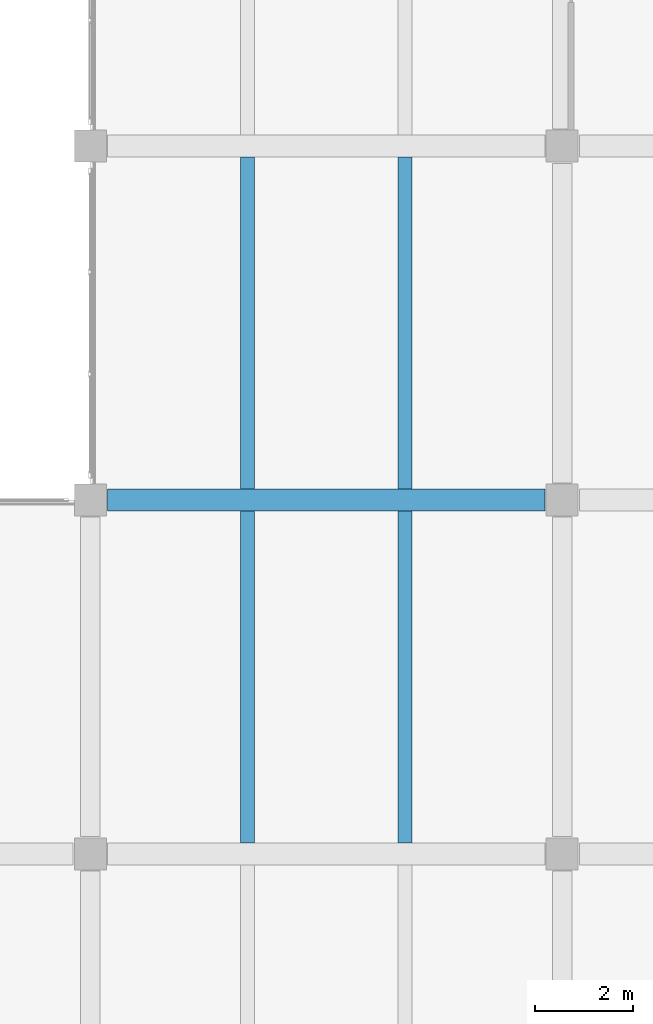
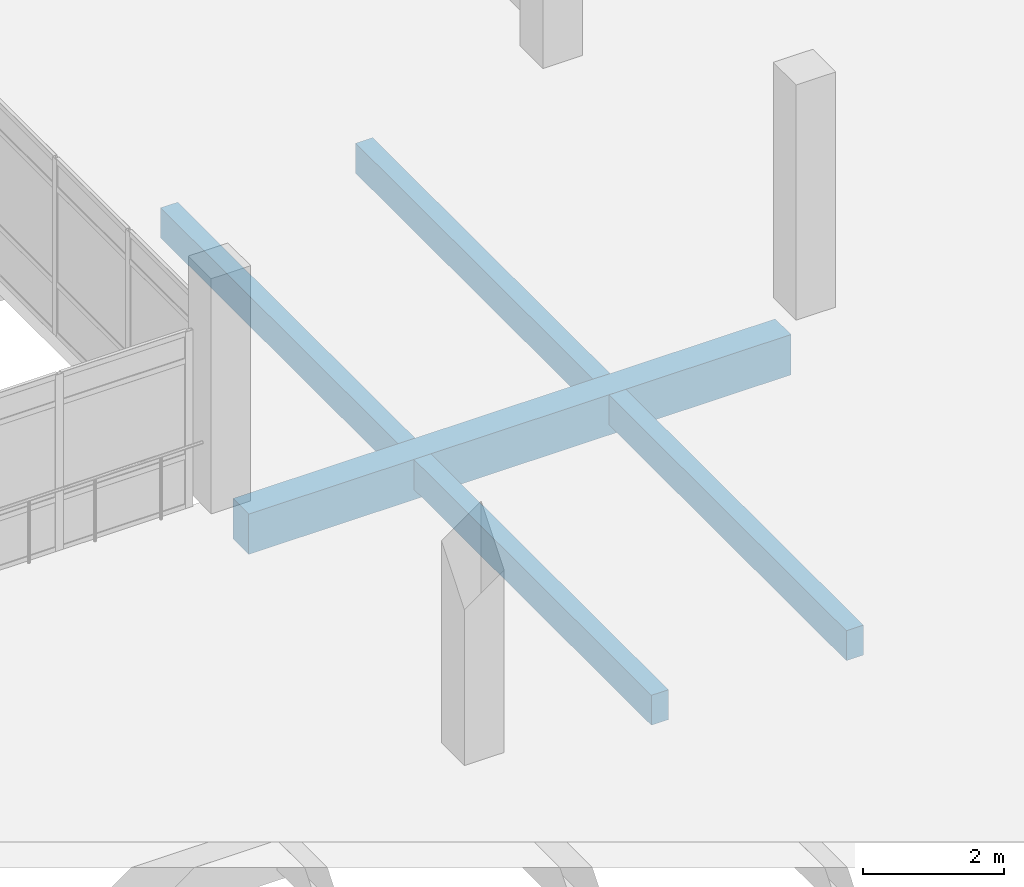
# One storey, part 67 of 134: 5 beams.
"""IFC4 building model written with IfcOpenShell, lengths in metres."""

import ifcopenshell
import ifcopenshell.guid

model = None  # the IFC model being written
_history = None  # IfcOwnerHistory: only IFC2X3 demands one
_inside = {}  # id of a spatial element -> (the spatial element, [elements in it])
_under = {}  # id of a project, library or spatial element -> (it, [spatial elements below it])
_declared = {}  # id of a project -> (the project, [libraries it declares])
_typed = {}  # id of a type object -> (the type object, [elements of that type])
_made_of = {}  # id of a material, layer set ... -> (it, [elements and type objects made of it])


def new_model(schema):
    """Start an empty IFC model of exactly this schema.

    Asked for "IFC4X3", IfcOpenShell would pick the latest addendum, in which some entities
    have other attributes; the version numbers below select the first issue.
    IFC2X3 requires an IfcOwnerHistory on every rooted entity: one is made here for all.
    """
    global model, _history
    if schema == "IFC4X3":
        model = ifcopenshell.file(schema_version=(4, 3, 0, 0))
    else:
        model = ifcopenshell.file(schema=schema)
    _inside.clear()
    _under.clear()
    _declared.clear()
    _typed.clear()
    _made_of.clear()
    _history = None
    if model.schema == "IFC2X3":
        org = make("IfcOrganization", Name="unknown")
        user = make(
            "IfcPersonAndOrganization",
            ThePerson=make("IfcPerson", FamilyName="unknown"),
            TheOrganization=org,
        )
        app = make(
            "IfcApplication",
            ApplicationDeveloper=org,
            Version="unknown",
            ApplicationFullName="unknown",
            ApplicationIdentifier="unknown",
        )
        _history = make(
            "IfcOwnerHistory",
            OwningUser=user,
            OwningApplication=app,
            ChangeAction="ADDED",
            CreationDate=0,
        )
    return model


def make(cls, **values):
    """One entity of the class cls with the attributes given. An attribute that is None is left unset."""
    return model.create_entity(
        cls, **{name: value for name, value in values.items() if value is not None}
    )


def rooted(cls, **values):
    """An entity with a GlobalId (a new one), such as an element, a storey or a relation."""
    return make(cls, GlobalId=ifcopenshell.guid.new(), OwnerHistory=_history, **values)


def si_unit(unit_type, name, prefix=None):
    """IfcSIUnit, for example si_unit("LENGTHUNIT", "METRE", prefix="MILLI")."""
    return make("IfcSIUnit", UnitType=unit_type, Prefix=prefix, Name=name)


def assignment(units):
    """IfcUnitAssignment: the units of a project."""
    return None if units is None else make("IfcUnitAssignment", Units=units)


def point(xyz):
    """IfcCartesianPoint."""
    return None if xyz is None else make("IfcCartesianPoint", Coordinates=xyz)


def direction(xyz):
    """IfcDirection."""
    return None if xyz is None else make("IfcDirection", DirectionRatios=xyz)


def frame(location, z_axis=None, x_axis=None):
    """IfcAxis2Placement3D, a coordinate frame: its origin and axes. An axis left out is left unset."""
    return make(
        "IfcAxis2Placement3D",
        Location=point(location),
        Axis=direction(z_axis),
        RefDirection=direction(x_axis),
    )


def frame_2d(location, x_axis=None):
    """IfcAxis2Placement2D, a coordinate frame in the plane: its origin and x axis."""
    return make(
        "IfcAxis2Placement2D", Location=point(location), RefDirection=direction(x_axis)
    )


def origin():
    """The frame at (0, 0, 0) with its axes left unset."""
    return frame((0.0, 0.0, 0.0))


def origin_2d():
    """The frame at (0, 0) in the plane with its x axis left unset."""
    return frame_2d((0.0, 0.0))


def place(relative_to, where):
    """IfcLocalPlacement: puts the frame where relative to a parent placement (None: the world)."""
    return make(
        "IfcLocalPlacement", PlacementRelTo=relative_to, RelativePlacement=where
    )


def context(
    kind, dimensions, precision=None, world=None, true_north=None, identifier=None
):
    """IfcGeometricRepresentationContext, for example the 3D "Model" context."""
    return make(
        "IfcGeometricRepresentationContext",
        ContextIdentifier=identifier,
        ContextType=kind,
        CoordinateSpaceDimension=dimensions,
        Precision=precision,
        WorldCoordinateSystem=world,
        TrueNorth=true_north,
    )


def subcontext(parent, identifier, kind, view, scale=None):
    """IfcGeometricRepresentationSubContext, for example "Body" below "Model"."""
    return make(
        "IfcGeometricRepresentationSubContext",
        ContextIdentifier=identifier,
        ContextType=kind,
        ParentContext=parent,
        TargetScale=scale,
        TargetView=view,
    )


def project(units=None, contexts=None):
    """IfcProject with its units and contexts."""
    return rooted(
        "IfcProject",
        Name="project",
        RepresentationContexts=contexts,
        UnitsInContext=assignment(units),
    )


def spatial(cls, under=None, at=None, **own):
    """A site, building, storey or space (cls), placed at a placement, below another one or the project."""
    s = rooted(cls, ObjectPlacement=at, **own)
    if under is not None:
        _under.setdefault(under.id(), (under, []))[1].append(s)
    return s


def profile(cls, at=None, kind="AREA", **sizes):
    """A parametric profile (cls). Its sizes go by their IFC names, for example OverallWidth=200.0."""
    return make(cls, ProfileType=kind, Position=at, **sizes)


def rectangle(**sizes):
    """IfcRectangleProfileDef."""
    return profile("IfcRectangleProfileDef", **sizes)


def extrude(swept, where, along, depth):
    """IfcExtrudedAreaSolid: the profile swept, set in the frame where, extruded along a direction by depth."""
    return make(
        "IfcExtrudedAreaSolid",
        SweptArea=swept,
        Position=where,
        ExtrudedDirection=direction(along),
        Depth=depth,
    )


def shape(context_of_items, identifier, shape_type, items):
    """IfcShapeRepresentation: the items that make up one representation, for example the "Body"."""
    return make(
        "IfcShapeRepresentation",
        ContextOfItems=context_of_items,
        RepresentationIdentifier=identifier,
        RepresentationType=shape_type,
        Items=items,
    )


def material(Name=None, Category=None):
    """IfcMaterial."""
    return make("IfcMaterial", Name=Name, Category=Category)


def material_profile(
    of_material, cross_section, Name=None, Category=None, Priority=None
):
    """IfcMaterialProfile: a cross section and its material."""
    return make(
        "IfcMaterialProfile",
        Name=Name,
        Material=of_material,
        Profile=cross_section,
        Priority=Priority,
        Category=Category,
    )


def profile_set(profiles, Name=None, composite=None):
    """IfcMaterialProfileSet."""
    return make(
        "IfcMaterialProfileSet",
        Name=Name,
        MaterialProfiles=profiles,
        CompositeProfile=composite,
    )


def made_of(thing, what):
    """Note that an element or type object is made of a material, layer set ...; save() writes the relation."""
    if what is not None:
        _made_of.setdefault(what.id(), (what, []))[1].append(thing)
    return thing


def type_object(cls, material=None, **own):
    """A type object (cls), such as IfcWallType, which elements share."""
    return made_of(rooted(cls, **own), material)


def element(
    cls,
    number,
    at=None,
    inside=None,
    cuts=None,
    type_object=None,
    material=None,
    context=None,
    identifier="Body",
    shape_type=None,
    held_by="IfcProductDefinitionShape",
    body=None,
    shapes=None,
    **own,
):
    """One element of the class cls, such as IfcWall. Its Tag is "e" and its number.

    at: its placement. inside: the storey or other place that contains it. cuts: it is an
    opening in that element (IfcRelVoidsElement). A single representation is given by context,
    identifier, shape_type and body (its items); several are given by shapes. held_by: the class
    of the entity that holds the representations. save() writes the other relations.
    """
    e = rooted(cls, Tag="e%d" % number, ObjectPlacement=at, **own)
    if body is not None:
        shapes = [shape(context, identifier, shape_type, body)]
    if shapes is not None:
        e.Representation = make(held_by, Representations=shapes)
    if inside is not None:
        _inside.setdefault(inside.id(), (inside, []))[1].append(e)
    if cuts is not None:
        rooted(
            "IfcRelVoidsElement", RelatingBuildingElement=cuts, RelatedOpeningElement=e
        )
    if type_object is not None:
        _typed.setdefault(type_object.id(), (type_object, []))[1].append(e)
    return made_of(e, material)


def aggregate(whole, parts):
    """IfcRelAggregates: a whole, such as a stair, and the parts it consists of."""
    return rooted("IfcRelAggregates", RelatingObject=whole, RelatedObjects=parts)


def save(model, path):
    """Write the relations noted so far, then the file.

    IfcRelAggregates (storeys below a building ...), IfcRelContainedInSpatialStructure (elements
    in a storey), IfcRelDefinesByType, IfcRelAssociatesMaterial and IfcRelDeclares: one each for
    every whole, place, type object, material and project.
    """
    for whole, parts in _under.values():
        aggregate(whole, parts)
    for where, things in _inside.values():
        rooted(
            "IfcRelContainedInSpatialStructure",
            RelatedElements=things,
            RelatingStructure=where,
        )
    for kind, things in _typed.values():
        rooted("IfcRelDefinesByType", RelatedObjects=things, RelatingType=kind)
    for what, things in _made_of.values():
        rooted("IfcRelAssociatesMaterial", RelatedObjects=things, RelatingMaterial=what)
    for by, libraries in _declared.values():
        rooted("IfcRelDeclares", RelatingContext=by, RelatedDefinitions=libraries)
    model.write(path)


model = new_model("IFC4")

# Units and contexts
model_context = context("Model", 3, precision=1e-05, world=origin(), true_north=direction((0.0, 1.0)))
body_context = subcontext(model_context, "Body", "Model", "MODEL_VIEW")
ifc_project = project(units=[si_unit("LENGTHUNIT", "METRE"), si_unit("AREAUNIT", "SQUARE_METRE"), si_unit("VOLUMEUNIT", "CUBIC_METRE"), si_unit("PLANEANGLEUNIT", "RADIAN"), si_unit("MASSUNIT", "GRAM", prefix="KILO")], contexts=[model_context])

# Site, building, storey
site_placement = place(None, origin())
site = spatial("IfcSite", under=ifc_project, at=site_placement, CompositionType="ELEMENT")
building_placement = place(site_placement, origin())
building = spatial("IfcBuilding", under=site, at=building_placement, Name="Asteropetra Specialist Clinic", CompositionType="ELEMENT")
storey_placement = place(building_placement, frame((0.0, 0.0, 8.5)))
storey = spatial("IfcBuildingStorey", under=building, at=storey_placement, Name="L02", CompositionType="ELEMENT", Elevation=8.5)

# Beams
ifc_material_1 = material(Name="Concrete C35/45", Category="concrete")
ifc_material_profile_1 = material_profile(ifc_material_1, rectangle(XDim=0.449951171875, YDim=0.699951171875, at=origin_2d()), Name="RCB 450x700")
ifc_profile_set_1 = profile_set([ifc_material_profile_1], Name="Concrete C35/45")
beam_type_1 = type_object("IfcBeamType", Name="BM-RC450x700", PredefinedType="BEAM", material=ifc_profile_set_1)
beam_placement = place(storey_placement, frame((134.75, 19.199951171875, -0.64990234375), z_axis=(1.0, 0.0, 0.0), x_axis=(0.0, 1.0, 0.0)))
element("IfcBeam", 1, at=beam_placement, inside=storey, type_object=beam_type_1, Name="Beam BBM05-1134", PredefinedType="BEAM", context=body_context, shape_type="SweptSolid", body=[
    extrude(rectangle(XDim=0.449951171875, YDim=0.699951171875, at=origin_2d()), origin(), (0.0, 0.0, 1.0), 8.89990234375),
])
ifc_material_2 = material(Name="Concrete C35/45", Category="concrete")
ifc_material_profile_2 = material_profile(ifc_material_2, rectangle(XDim=0.280029296875, YDim=0.52001953125, at=origin_2d()), Name="RCJ 280x520")
ifc_profile_set_2 = profile_set([ifc_material_profile_2], Name="Concrete C35/45")
beam_type_2 = type_object("IfcBeamType", Name="JST-RC280x520", PredefinedType="JOIST", material=ifc_profile_set_2)
for number, where, z_axis, x_axis, name in (
    (2, (137.60009765625, 12.22509765625, -0.56005859375), (0.0, 1.0, 0.0), (-1.0, 0.0, 0.0), "Joist JJST01-1189"),
    (3, (140.800048828125, 12.22509765625, -0.56005859375), (0.0, 1.0, 0.0), (-1.0, 0.0, 0.0), "Joist JJST01-1190"),
    (4, (137.60009765625, 19.425048828125, -0.56005859375), (0.0, 1.0, 0.0), (-1.0, 0.0, 0.0), "Joist JJST01-1201"),
    (5, (140.800048828125, 19.425048828125, -0.56005859375), (0.0, 1.0, 0.0), (-1.0, 0.0, 0.0), "Joist JJST01-1202"),
):
    element("IfcBeam", number, at=place(storey_placement, frame(where, z_axis=z_axis, x_axis=x_axis)), inside=storey, type_object=beam_type_2, Name=name, PredefinedType="JOIST", context=body_context, shape_type="SweptSolid", body=[
        extrude(rectangle(XDim=0.280029296875, YDim=0.52001953125, at=origin_2d()), origin(), (0.0, 0.0, 1.0), 6.75),
    ])

save(model, "model.ifc")
